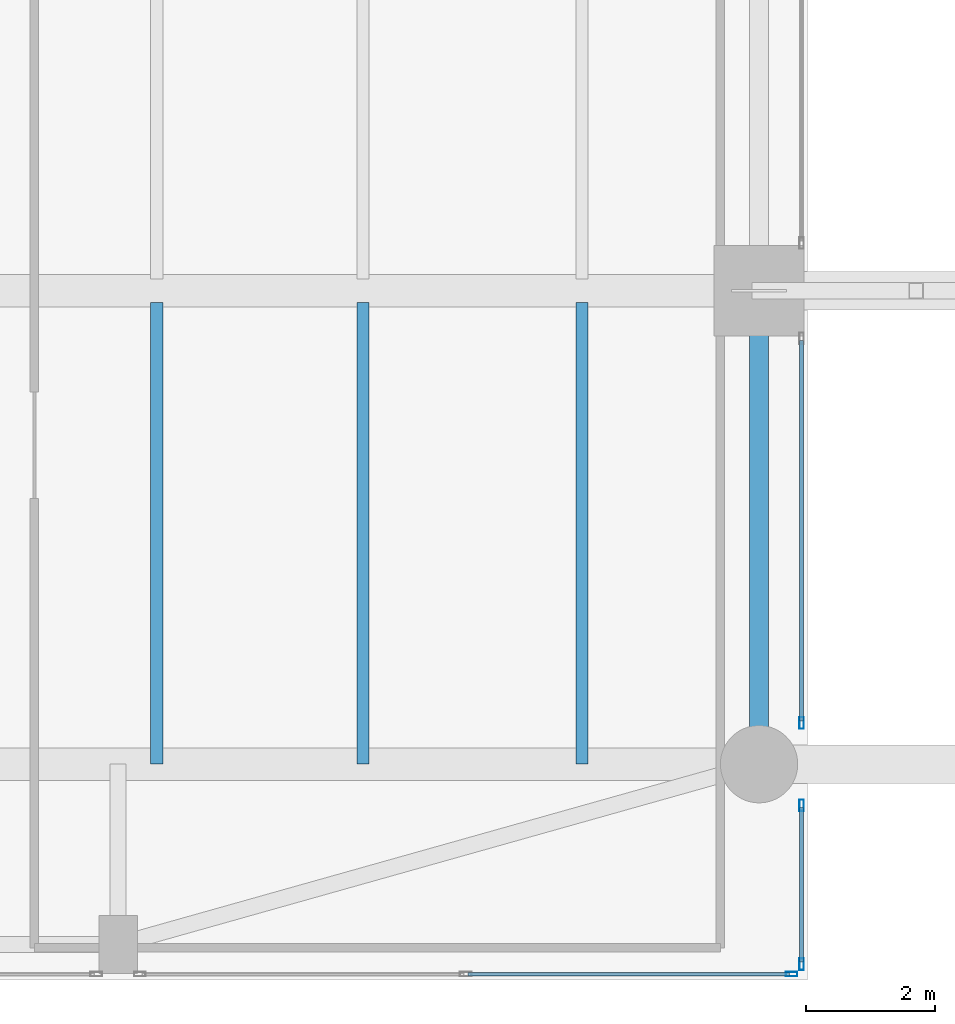
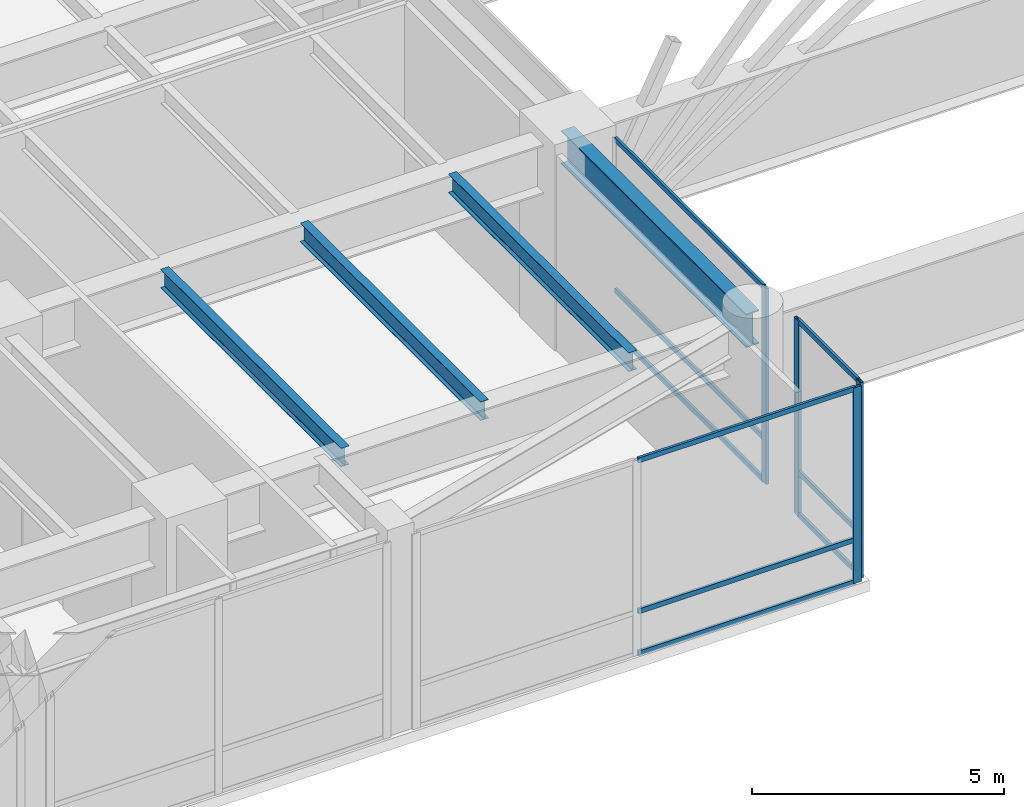
# One storey, part 7 of 39: 13 members, 4 beams, 3 elements without a shape of their own.
"""IFC4 building model written with IfcOpenShell, lengths in metres."""

import ifcopenshell
import ifcopenshell.guid

model = None  # the IFC model being written
_history = None  # IfcOwnerHistory: only IFC2X3 demands one
_inside = {}  # id of a spatial element -> (the spatial element, [elements in it])
_under = {}  # id of a project, library or spatial element -> (it, [spatial elements below it])
_declared = {}  # id of a project -> (the project, [libraries it declares])
_typed = {}  # id of a type object -> (the type object, [elements of that type])
_made_of = {}  # id of a material, layer set ... -> (it, [elements and type objects made of it])


def new_model(schema):
    """Start an empty IFC model of exactly this schema.

    Asked for "IFC4X3", IfcOpenShell would pick the latest addendum, in which some entities
    have other attributes; the version numbers below select the first issue.
    IFC2X3 requires an IfcOwnerHistory on every rooted entity: one is made here for all.
    """
    global model, _history
    if schema == "IFC4X3":
        model = ifcopenshell.file(schema_version=(4, 3, 0, 0))
    else:
        model = ifcopenshell.file(schema=schema)
    _inside.clear()
    _under.clear()
    _declared.clear()
    _typed.clear()
    _made_of.clear()
    _history = None
    if model.schema == "IFC2X3":
        org = make("IfcOrganization", Name="unknown")
        user = make(
            "IfcPersonAndOrganization",
            ThePerson=make("IfcPerson", FamilyName="unknown"),
            TheOrganization=org,
        )
        app = make(
            "IfcApplication",
            ApplicationDeveloper=org,
            Version="unknown",
            ApplicationFullName="unknown",
            ApplicationIdentifier="unknown",
        )
        _history = make(
            "IfcOwnerHistory",
            OwningUser=user,
            OwningApplication=app,
            ChangeAction="ADDED",
            CreationDate=0,
        )
    return model


def make(cls, **values):
    """One entity of the class cls with the attributes given. An attribute that is None is left unset."""
    return model.create_entity(
        cls, **{name: value for name, value in values.items() if value is not None}
    )


def rooted(cls, **values):
    """An entity with a GlobalId (a new one), such as an element, a storey or a relation."""
    return make(cls, GlobalId=ifcopenshell.guid.new(), OwnerHistory=_history, **values)


def si_unit(unit_type, name, prefix=None):
    """IfcSIUnit, for example si_unit("LENGTHUNIT", "METRE", prefix="MILLI")."""
    return make("IfcSIUnit", UnitType=unit_type, Prefix=prefix, Name=name)


def assignment(units):
    """IfcUnitAssignment: the units of a project."""
    return None if units is None else make("IfcUnitAssignment", Units=units)


def point(xyz):
    """IfcCartesianPoint."""
    return None if xyz is None else make("IfcCartesianPoint", Coordinates=xyz)


def direction(xyz):
    """IfcDirection."""
    return None if xyz is None else make("IfcDirection", DirectionRatios=xyz)


def frame(location, z_axis=None, x_axis=None):
    """IfcAxis2Placement3D, a coordinate frame: its origin and axes. An axis left out is left unset."""
    return make(
        "IfcAxis2Placement3D",
        Location=point(location),
        Axis=direction(z_axis),
        RefDirection=direction(x_axis),
    )


def frame_2d(location, x_axis=None):
    """IfcAxis2Placement2D, a coordinate frame in the plane: its origin and x axis."""
    return make(
        "IfcAxis2Placement2D", Location=point(location), RefDirection=direction(x_axis)
    )


def origin():
    """The frame at (0, 0, 0) with its axes left unset."""
    return frame((0.0, 0.0, 0.0))


def origin_2d():
    """The frame at (0, 0) in the plane with its x axis left unset."""
    return frame_2d((0.0, 0.0))


def place(relative_to, where):
    """IfcLocalPlacement: puts the frame where relative to a parent placement (None: the world)."""
    return make(
        "IfcLocalPlacement", PlacementRelTo=relative_to, RelativePlacement=where
    )


def context(
    kind, dimensions, precision=None, world=None, true_north=None, identifier=None
):
    """IfcGeometricRepresentationContext, for example the 3D "Model" context."""
    return make(
        "IfcGeometricRepresentationContext",
        ContextIdentifier=identifier,
        ContextType=kind,
        CoordinateSpaceDimension=dimensions,
        Precision=precision,
        WorldCoordinateSystem=world,
        TrueNorth=true_north,
    )


def subcontext(parent, identifier, kind, view, scale=None):
    """IfcGeometricRepresentationSubContext, for example "Body" below "Model"."""
    return make(
        "IfcGeometricRepresentationSubContext",
        ContextIdentifier=identifier,
        ContextType=kind,
        ParentContext=parent,
        TargetScale=scale,
        TargetView=view,
    )


def project(units=None, contexts=None):
    """IfcProject with its units and contexts."""
    return rooted(
        "IfcProject",
        Name="project",
        RepresentationContexts=contexts,
        UnitsInContext=assignment(units),
    )


def spatial(cls, under=None, at=None, **own):
    """A site, building, storey or space (cls), placed at a placement, below another one or the project."""
    s = rooted(cls, ObjectPlacement=at, **own)
    if under is not None:
        _under.setdefault(under.id(), (under, []))[1].append(s)
    return s


def profile(cls, at=None, kind="AREA", **sizes):
    """A parametric profile (cls). Its sizes go by their IFC names, for example OverallWidth=200.0."""
    return make(cls, ProfileType=kind, Position=at, **sizes)


def hollow_rectangle(**sizes):
    """IfcRectangleHollowProfileDef."""
    return profile("IfcRectangleHollowProfileDef", **sizes)


def i_section(**sizes):
    """IfcIShapeProfileDef."""
    return profile("IfcIShapeProfileDef", **sizes)


def extrude(swept, where, along, depth):
    """IfcExtrudedAreaSolid: the profile swept, set in the frame where, extruded along a direction by depth."""
    return make(
        "IfcExtrudedAreaSolid",
        SweptArea=swept,
        Position=where,
        ExtrudedDirection=direction(along),
        Depth=depth,
    )


def shape(context_of_items, identifier, shape_type, items):
    """IfcShapeRepresentation: the items that make up one representation, for example the "Body"."""
    return make(
        "IfcShapeRepresentation",
        ContextOfItems=context_of_items,
        RepresentationIdentifier=identifier,
        RepresentationType=shape_type,
        Items=items,
    )


def source(mapping_origin, context_of_items, identifier, shape_type, items):
    """IfcRepresentationMap: a shape defined once, which mapped items show again and again."""
    return make(
        "IfcRepresentationMap",
        MappingOrigin=mapping_origin,
        MappedRepresentation=shape(context_of_items, identifier, shape_type, items),
    )


def transform(
    local_origin,
    x_axis=None,
    y_axis=None,
    z_axis=None,
    scale=None,
    scale2=None,
    scale3=None,
    uniform=True,
):
    """IfcCartesianTransformationOperator3D, or its non-uniform kind. x_axis, y_axis, z_axis: its Axis1, 2, 3."""
    if uniform:
        return make(
            "IfcCartesianTransformationOperator3D",
            Axis1=direction(x_axis),
            Axis2=direction(y_axis),
            LocalOrigin=point(local_origin),
            Scale=scale,
            Axis3=direction(z_axis),
        )
    return make(
        "IfcCartesianTransformationOperator3DnonUniform",
        Axis1=direction(x_axis),
        Axis2=direction(y_axis),
        LocalOrigin=point(local_origin),
        Scale=scale,
        Axis3=direction(z_axis),
        Scale2=scale2,
        Scale3=scale3,
    )


def mapped(mapping_source, mapping_target):
    """IfcMappedItem: shows the shape of a source again, moved by a transform."""
    return make(
        "IfcMappedItem", MappingSource=mapping_source, MappingTarget=mapping_target
    )


def material(Name=None, Category=None):
    """IfcMaterial."""
    return make("IfcMaterial", Name=Name, Category=Category)


def layer(
    of_material, thickness, ventilated=None, Name=None, Category=None, Priority=None
):
    """IfcMaterialLayer: one layer of a wall or slab, of a material (None: an air gap)."""
    return make(
        "IfcMaterialLayer",
        Material=of_material,
        LayerThickness=thickness,
        IsVentilated=ventilated,
        Name=Name,
        Category=Category,
        Priority=Priority,
    )


def layer_set(layers, Name=None):
    """IfcMaterialLayerSet."""
    return make("IfcMaterialLayerSet", MaterialLayers=layers, LayerSetName=Name)


def material_profile(
    of_material, cross_section, Name=None, Category=None, Priority=None
):
    """IfcMaterialProfile: a cross section and its material."""
    return make(
        "IfcMaterialProfile",
        Name=Name,
        Material=of_material,
        Profile=cross_section,
        Priority=Priority,
        Category=Category,
    )


def profile_set(profiles, Name=None, composite=None):
    """IfcMaterialProfileSet."""
    return make(
        "IfcMaterialProfileSet",
        Name=Name,
        MaterialProfiles=profiles,
        CompositeProfile=composite,
    )


def made_of(thing, what):
    """Note that an element or type object is made of a material, layer set ...; save() writes the relation."""
    if what is not None:
        _made_of.setdefault(what.id(), (what, []))[1].append(thing)
    return thing


def type_object(cls, material=None, **own):
    """A type object (cls), such as IfcWallType, which elements share."""
    return made_of(rooted(cls, **own), material)


def type_shapes(of_type, sources):
    """Give a type object the sources (RepresentationMaps) that its elements show as mapped items."""
    of_type.RepresentationMaps = sources


def element(
    cls,
    number,
    at=None,
    inside=None,
    cuts=None,
    type_object=None,
    material=None,
    context=None,
    identifier="Body",
    shape_type=None,
    held_by="IfcProductDefinitionShape",
    body=None,
    shapes=None,
    **own,
):
    """One element of the class cls, such as IfcWall. Its Tag is "e" and its number.

    at: its placement. inside: the storey or other place that contains it. cuts: it is an
    opening in that element (IfcRelVoidsElement). A single representation is given by context,
    identifier, shape_type and body (its items); several are given by shapes. held_by: the class
    of the entity that holds the representations. save() writes the other relations.
    """
    e = rooted(cls, Tag="e%d" % number, ObjectPlacement=at, **own)
    if body is not None:
        shapes = [shape(context, identifier, shape_type, body)]
    if shapes is not None:
        e.Representation = make(held_by, Representations=shapes)
    if inside is not None:
        _inside.setdefault(inside.id(), (inside, []))[1].append(e)
    if cuts is not None:
        rooted(
            "IfcRelVoidsElement", RelatingBuildingElement=cuts, RelatedOpeningElement=e
        )
    if type_object is not None:
        _typed.setdefault(type_object.id(), (type_object, []))[1].append(e)
    return made_of(e, material)


def aggregate(whole, parts):
    """IfcRelAggregates: a whole, such as a stair, and the parts it consists of."""
    return rooted("IfcRelAggregates", RelatingObject=whole, RelatedObjects=parts)


def save(model, path):
    """Write the relations noted so far, then the file.

    IfcRelAggregates (storeys below a building ...), IfcRelContainedInSpatialStructure (elements
    in a storey), IfcRelDefinesByType, IfcRelAssociatesMaterial and IfcRelDeclares: one each for
    every whole, place, type object, material and project.
    """
    for whole, parts in _under.values():
        aggregate(whole, parts)
    for where, things in _inside.values():
        rooted(
            "IfcRelContainedInSpatialStructure",
            RelatedElements=things,
            RelatingStructure=where,
        )
    for kind, things in _typed.values():
        rooted("IfcRelDefinesByType", RelatedObjects=things, RelatingType=kind)
    for what, things in _made_of.values():
        rooted("IfcRelAssociatesMaterial", RelatedObjects=things, RelatingMaterial=what)
    for by, libraries in _declared.values():
        rooted("IfcRelDeclares", RelatingContext=by, RelatedDefinitions=libraries)
    model.write(path)


model = new_model("IFC4")

# Units and contexts
model_context = context("Model", 3, precision=1e-05, world=origin(), true_north=direction((0.0, 1.0)))
body_context = subcontext(model_context, "Body", "Model", "MODEL_VIEW")
ifc_project = project(units=[si_unit("LENGTHUNIT", "METRE"), si_unit("AREAUNIT", "SQUARE_METRE"), si_unit("VOLUMEUNIT", "CUBIC_METRE"), si_unit("PLANEANGLEUNIT", "RADIAN"), si_unit("MASSUNIT", "GRAM", prefix="KILO")], contexts=[model_context])

# Site, building, storey
site_placement = place(None, origin())
site = spatial("IfcSite", under=ifc_project, at=site_placement, CompositionType="ELEMENT")
building_placement = place(site_placement, origin())
building = spatial("IfcBuilding", under=site, at=building_placement, Name="Tolvann Quenvar Hotel", CompositionType="ELEMENT")
storey_placement = place(building_placement, frame((0.0, 0.0, 11.0)))
storey = spatial("IfcBuildingStorey", under=building, at=storey_placement, Name="L02", CompositionType="ELEMENT", Elevation=11.0)

# Beams
ifc_material_1 = material(Name="Steel Grade 350", Category="steel")
ifc_material_profile_1 = material_profile(ifc_material_1, i_section(OverallWidth=0.300048828125, OverallDepth=0.81591796875, WebThickness=0.010009765625, FlangeThickness=0.028076171875, at=origin_2d()), Name="800WB192")
ifc_profile_set_1 = profile_set([ifc_material_profile_1], Name="Steel Grade 350")
beam_type_1 = type_object("IfcBeamType", Name="BM_GIRD_800WB192", PredefinedType="BEAM", material=ifc_profile_set_1)
shared_shape_1 = source(origin(), body_context, "Body", "SweptSolid", [
    extrude(i_section(OverallWidth=0.300048828125, OverallDepth=0.81591796875, WebThickness=0.010009765625, FlangeThickness=0.028076171875, at=origin_2d()), origin(), (0.0, 0.0, 1.0), 7.349853515625),
])
type_shapes(beam_type_1, [shared_shape_1])
beam_placement = place(storey_placement, frame((18.75, 0.85009765625, 4.33203125), z_axis=(0.0, 1.0, 0.0), x_axis=(-1.0, 0.0, 0.0)))
element("IfcBeam", 1, at=beam_placement, inside=storey, type_object=beam_type_1, Name="BM-L02-NS-APW-0", PredefinedType="BEAM", context=body_context, shape_type="MappedRepresentation", body=[
    mapped(shared_shape_1, transform((0.0, 0.0, 0.0), x_axis=(1.0, 0.0, 0.0), y_axis=(0.0, 1.0, 0.0), z_axis=(0.0, 0.0, 1.0), scale=1.0)),
])
ifc_material_profile_2 = material_profile(ifc_material_1, i_section(OverallWidth=0.18994140625, OverallDepth=0.4541015625, WebThickness=0.008544921875, FlangeThickness=0.0126953125, FilletRadius=0.011474609375, at=origin_2d()), Name="460UB67")
ifc_profile_set_2 = profile_set([ifc_material_profile_2], Name="Steel Grade 350")
beam_type_2 = type_object("IfcBeamType", Name="BM_JOIST_460UB67", PredefinedType="JOIST", material=ifc_profile_set_2)
shared_shape_2 = source(origin(), body_context, "Body", "SweptSolid", [
    extrude(i_section(OverallWidth=0.18994140625, OverallDepth=0.4541015625, WebThickness=0.008544921875, FlangeThickness=0.0126953125, FilletRadius=0.011474609375, at=origin_2d()), origin(), (0.0, 0.0, 1.0), 7.164794921875),
])
type_shapes(beam_type_2, [shared_shape_2])
for number, where, z_axis, x_axis, name in (
    (2, (9.39990234375, 0.85009765625, 4.512939453125), (0.0, 1.0, 0.0), (-1.0, 0.0, 0.0), "BJ-L02-94-8"),
    (3, (12.60009765625, 0.85009765625, 4.512939453125), (0.0, 1.0, 0.0), (-1.0, 0.0, 0.0), "BJ-L02-126-8"),
    (4, (16.0, 0.85009765625, 4.512939453125), (0.0, 1.0, 0.0), (-1.0, 0.0, 0.0), "BJ-L02-160-8"),
):
    element("IfcBeam", number, at=place(storey_placement, frame(where, z_axis=z_axis, x_axis=x_axis)), inside=storey, type_object=beam_type_2, Name=name, PredefinedType="JOIST", context=body_context, shape_type="MappedRepresentation", body=[
        mapped(shared_shape_2, transform((0.0, 0.0, 0.0), x_axis=(1.0, 0.0, 0.0), y_axis=(0.0, 1.0, 0.0), z_axis=(0.0, 0.0, 1.0), scale=1.0)),
    ])

# Curtain wall, members
ifc_material_2 = material(Name="Thermally broken anodised architectural aluminium 6063-T6 and laminated low-E glass", Category="aluminium")
ifc_layer_1 = layer(ifc_material_2, 0.179931640625)
ifc_layer_set_1 = layer_set([ifc_layer_1], Name="Thermally broken anodised architectural aluminium 6063-T6 and laminated low-E glass")
curtain_wall_type_1 = type_object("IfcCurtainWallType", Name="CW_SYS_ARCH_01", PredefinedType="USERDEFINED", material=ifc_layer_set_1)
curtain_wall_1_placement = place(storey_placement, origin())
curtain_wall_1 = element("IfcCurtainWall", 5, at=curtain_wall_1_placement, inside=storey, type_object=curtain_wall_type_1, Name="Curtain Wall CW-ARCH-01 (CWR-L02-E01-S1)", ObjectType="UNITISED CURTAIN WALL", PredefinedType="USERDEFINED")
ifc_material_3 = material(Name="Anodised architectural aluminium 6063-T6 framing", Category="aluminium")
ifc_material_profile_3 = material_profile(ifc_material_3, hollow_rectangle(XDim=0.06005859375, YDim=0.1201171875, WallThickness=0.00341796875, at=origin_2d()), Name="120x60x3.5RHS")
ifc_profile_set_3 = profile_set([ifc_material_profile_3], Name="Anodised architectural aluminium 6063-T6 framing")
member_type_1 = type_object("IfcMemberType", Name="CW_TRAN_120x60", PredefinedType="USERDEFINED", material=ifc_profile_set_3)
shared_shape_3 = source(origin(), body_context, "Body", "SweptSolid", [
    extrude(hollow_rectangle(XDim=0.06005859375, YDim=0.1201171875, WallThickness=0.00341796875, at=origin_2d()), origin(), (0.0, 0.0, 1.0), 2.39599609375),
])
member_1_placement = place(storey_placement, frame((19.409912109375, -2.219970703125, 0.030029296875), z_axis=(0.0, 1.0, 0.0), x_axis=(-1.0, 0.0, 0.0)))
member_1 = element("IfcMember", 6, at=member_1_placement, type_object=member_type_1, Name="CW-ARCH-01 transom 1.1", ObjectType="TRANSOM", PredefinedType="USERDEFINED", context=body_context, shape_type="MappedRepresentation", body=[
    mapped(shared_shape_3, transform((0.0, 0.0, 0.0), x_axis=(1.0, 0.0, 0.0), y_axis=(0.0, 1.0, 0.0), z_axis=(0.0, 0.0, 1.0), scale=1.0)),
])
member_2_placement = place(storey_placement, frame((19.409912109375, -2.219970703125, 1.050048828125), z_axis=(0.0, 1.0, 0.0), x_axis=(-1.0, 0.0, 0.0)))
member_2 = element("IfcMember", 7, at=member_2_placement, type_object=member_type_1, Name="CW-ARCH-01 transom 1.2", ObjectType="TRANSOM", PredefinedType="USERDEFINED", context=body_context, shape_type="MappedRepresentation", body=[
    mapped(shared_shape_3, transform((0.0, 0.0, 0.0), x_axis=(1.0, 0.0, 0.0), y_axis=(0.0, 1.0, 0.0), z_axis=(0.0, 0.0, 1.0), scale=1.0)),
])
member_3_placement = place(storey_placement, frame((19.409912109375, -2.219970703125, 4.7099609375), z_axis=(0.0, 1.0, 0.0), x_axis=(-1.0, 0.0, 0.0)))
member_3 = element("IfcMember", 8, at=member_3_placement, type_object=member_type_1, Name="CW-ARCH-01 transom 1.3", ObjectType="TRANSOM", PredefinedType="USERDEFINED", context=body_context, shape_type="MappedRepresentation", body=[
    mapped(shared_shape_3, transform((0.0, 0.0, 0.0), x_axis=(1.0, 0.0, 0.0), y_axis=(0.0, 1.0, 0.0), z_axis=(0.0, 0.0, 1.0), scale=1.0)),
])

curtain_wall_2_placement = place(storey_placement, origin())
curtain_wall_2 = element("IfcCurtainWall", 9, at=curtain_wall_2_placement, inside=storey, type_object=curtain_wall_type_1, Name="Curtain Wall CW-ARCH-01 (CWR-L02-E01-S2)", ObjectType="UNITISED CURTAIN WALL", PredefinedType="USERDEFINED")
shared_shape_4 = source(origin(), body_context, "Body", "SweptSolid", [
    extrude(hollow_rectangle(XDim=0.06005859375, YDim=0.1201171875, WallThickness=0.00341796875, at=origin_2d()), origin(), (0.0, 0.0, 1.0), 5.902099609375),
])
member_4_placement = place(storey_placement, frame((19.409912109375, 1.52392578125, 0.030029296875), z_axis=(0.0, 1.0, 0.0), x_axis=(-1.0, 0.0, 0.0)))
member_4 = element("IfcMember", 10, at=member_4_placement, type_object=member_type_1, Name="CW-ARCH-01 transom 1.1", ObjectType="TRANSOM", PredefinedType="USERDEFINED", context=body_context, shape_type="MappedRepresentation", body=[
    mapped(shared_shape_4, transform((0.0, 0.0, 0.0), x_axis=(1.0, 0.0, 0.0), y_axis=(0.0, 1.0, 0.0), z_axis=(0.0, 0.0, 1.0), scale=1.0)),
])
member_5_placement = place(storey_placement, frame((19.409912109375, 1.52392578125, 1.050048828125), z_axis=(0.0, 1.0, 0.0), x_axis=(-1.0, 0.0, 0.0)))
member_5 = element("IfcMember", 11, at=member_5_placement, type_object=member_type_1, Name="CW-ARCH-01 transom 1.2", ObjectType="TRANSOM", PredefinedType="USERDEFINED", context=body_context, shape_type="MappedRepresentation", body=[
    mapped(shared_shape_4, transform((0.0, 0.0, 0.0), x_axis=(1.0, 0.0, 0.0), y_axis=(0.0, 1.0, 0.0), z_axis=(0.0, 0.0, 1.0), scale=1.0)),
])
member_6_placement = place(storey_placement, frame((19.409912109375, 1.52392578125, 4.7099609375), z_axis=(0.0, 1.0, 0.0), x_axis=(-1.0, 0.0, 0.0)))
member_6 = element("IfcMember", 12, at=member_6_placement, type_object=member_type_1, Name="CW-ARCH-01 transom 1.3", ObjectType="TRANSOM", PredefinedType="USERDEFINED", context=body_context, shape_type="MappedRepresentation", body=[
    mapped(shared_shape_4, transform((0.0, 0.0, 0.0), x_axis=(1.0, 0.0, 0.0), y_axis=(0.0, 1.0, 0.0), z_axis=(0.0, 0.0, 1.0), scale=1.0)),
])

# Member
ifc_material_profile_4 = material_profile(ifc_material_3, hollow_rectangle(XDim=0.070068359375, YDim=0.179931640625, WallThickness=0.00390625, at=origin_2d()), Name="180x70x4RHS")
ifc_profile_set_4 = profile_set([ifc_material_profile_4], Name="Anodised architectural aluminium 6063-T6 framing")
member_type_2 = type_object("IfcMemberType", Name="CW_MULL_180x70", PredefinedType="MULLION", material=ifc_profile_set_4)
shared_shape_5 = source(origin(), body_context, "Body", "SweptSolid", [
    extrude(hollow_rectangle(XDim=0.070068359375, YDim=0.179931640625, WallThickness=0.00390625, at=origin_2d()), origin(), (0.0, 0.0, 1.0), 4.739990234375),
])
type_shapes(member_type_2, [shared_shape_5])
member_7_placement = place(storey_placement, frame((19.409912109375, -2.2548828125, 0.0), z_axis=(0.0, 0.0, 1.0), x_axis=(-1.0, 0.0, 0.0)))
member_7 = element("IfcMember", 13, at=member_7_placement, type_object=member_type_2, Name="CW-ARCH-01 mullion 1", PredefinedType="MULLION", context=body_context, shape_type="MappedRepresentation", body=[
    mapped(shared_shape_5, transform((0.0, 0.0, 0.0), x_axis=(1.0, 0.0, 0.0), y_axis=(0.0, 1.0, 0.0), z_axis=(0.0, 0.0, 1.0), scale=1.0)),
])

member_8_placement = place(storey_placement, frame((19.409912109375, 0.2109375, 0.0), z_axis=(0.0, 0.0, 1.0), x_axis=(-1.0, 0.0, 0.0)))
member_8 = element("IfcMember", 14, at=member_8_placement, type_object=member_type_2, Name="CW-ARCH-01 mullion 2", PredefinedType="MULLION", context=body_context, shape_type="MappedRepresentation", body=[
    mapped(shared_shape_5, transform((0.0, 0.0, 0.0), x_axis=(1.0, 0.0, 0.0), y_axis=(0.0, 1.0, 0.0), z_axis=(0.0, 0.0, 1.0), scale=1.0)),
])

aggregate(curtain_wall_1, [member_7, member_8, member_1, member_2, member_3])

member_9_placement = place(storey_placement, frame((19.409912109375, 1.489013671875, 0.0), z_axis=(0.0, 0.0, 1.0), x_axis=(-1.0, 0.0, 0.0)))
member_9 = element("IfcMember", 15, at=member_9_placement, type_object=member_type_2, Name="CW-ARCH-01 mullion 1", PredefinedType="MULLION", context=body_context, shape_type="MappedRepresentation", body=[
    mapped(shared_shape_5, transform((0.0, 0.0, 0.0), x_axis=(1.0, 0.0, 0.0), y_axis=(0.0, 1.0, 0.0), z_axis=(0.0, 0.0, 1.0), scale=1.0)),
])

aggregate(curtain_wall_2, [member_9, member_4, member_5, member_6])

# Curtain wall, members
ifc_layer_2 = layer(ifc_material_2, 0.179931640625)
ifc_layer_set_2 = layer_set([ifc_layer_2], Name="Thermally broken anodised architectural aluminium 6063-T6 and laminated low-E glass")
curtain_wall_type_2 = type_object("IfcCurtainWallType", Name="CW_SYS_BALL_02", PredefinedType="USERDEFINED", material=ifc_layer_set_2)
curtain_wall_3_placement = place(storey_placement, origin())
curtain_wall_3 = element("IfcCurtainWall", 16, at=curtain_wall_3_placement, inside=storey, type_object=curtain_wall_type_2, Name="Curtain Wall CW-BALL-02 (CWR-L02-E08-S3)", ObjectType="UNITISED CURTAIN WALL", PredefinedType="USERDEFINED")
member_10_placement = place(storey_placement, frame((19.2548828125, -2.409912109375, 0.0), z_axis=(0.0, 0.0, 1.0), x_axis=(0.0, 1.0, 0.0)))
member_10 = element("IfcMember", 17, at=member_10_placement, type_object=member_type_2, Name="CW-BALL-02 mullion 3", PredefinedType="MULLION", context=body_context, shape_type="MappedRepresentation", body=[
    mapped(shared_shape_5, transform((0.0, 0.0, 0.0), x_axis=(1.0, 0.0, 0.0), y_axis=(0.0, 1.0, 0.0), z_axis=(0.0, 0.0, 1.0), scale=1.0)),
])
shared_shape_6 = source(origin(), body_context, "Body", "SweptSolid", [
    extrude(hollow_rectangle(XDim=0.06005859375, YDim=0.1201171875, WallThickness=0.00341796875, at=origin_2d()), origin(), (0.0, 0.0, 1.0), 4.988037109375),
])
type_shapes(member_type_1, [shared_shape_3, shared_shape_4, shared_shape_6])
member_11_placement = place(storey_placement, frame((14.23193359375, -2.409912109375, 0.030029296875), z_axis=(1.0, 0.0, 0.0), x_axis=(0.0, 1.0, 0.0)))
member_11 = element("IfcMember", 18, at=member_11_placement, type_object=member_type_1, Name="CW-BALL-02 transom 2.1", ObjectType="TRANSOM", PredefinedType="USERDEFINED", context=body_context, shape_type="MappedRepresentation", body=[
    mapped(shared_shape_6, transform((0.0, 0.0, 0.0), x_axis=(1.0, 0.0, 0.0), y_axis=(0.0, 1.0, 0.0), z_axis=(0.0, 0.0, 1.0), scale=1.0)),
])
member_12_placement = place(storey_placement, frame((14.23193359375, -2.409912109375, 1.050048828125), z_axis=(1.0, 0.0, 0.0), x_axis=(0.0, 1.0, 0.0)))
member_12 = element("IfcMember", 19, at=member_12_placement, type_object=member_type_1, Name="CW-BALL-02 transom 2.2", ObjectType="TRANSOM", PredefinedType="USERDEFINED", context=body_context, shape_type="MappedRepresentation", body=[
    mapped(shared_shape_6, transform((0.0, 0.0, 0.0), x_axis=(1.0, 0.0, 0.0), y_axis=(0.0, 1.0, 0.0), z_axis=(0.0, 0.0, 1.0), scale=1.0)),
])
member_13_placement = place(storey_placement, frame((14.23193359375, -2.409912109375, 4.7099609375), z_axis=(1.0, 0.0, 0.0), x_axis=(0.0, 1.0, 0.0)))
member_13 = element("IfcMember", 20, at=member_13_placement, type_object=member_type_1, Name="CW-BALL-02 transom 2.3", ObjectType="TRANSOM", PredefinedType="USERDEFINED", context=body_context, shape_type="MappedRepresentation", body=[
    mapped(shared_shape_6, transform((0.0, 0.0, 0.0), x_axis=(1.0, 0.0, 0.0), y_axis=(0.0, 1.0, 0.0), z_axis=(0.0, 0.0, 1.0), scale=1.0)),
])
aggregate(curtain_wall_3, [member_10, member_11, member_12, member_13])

save(model, "model.ifc")
